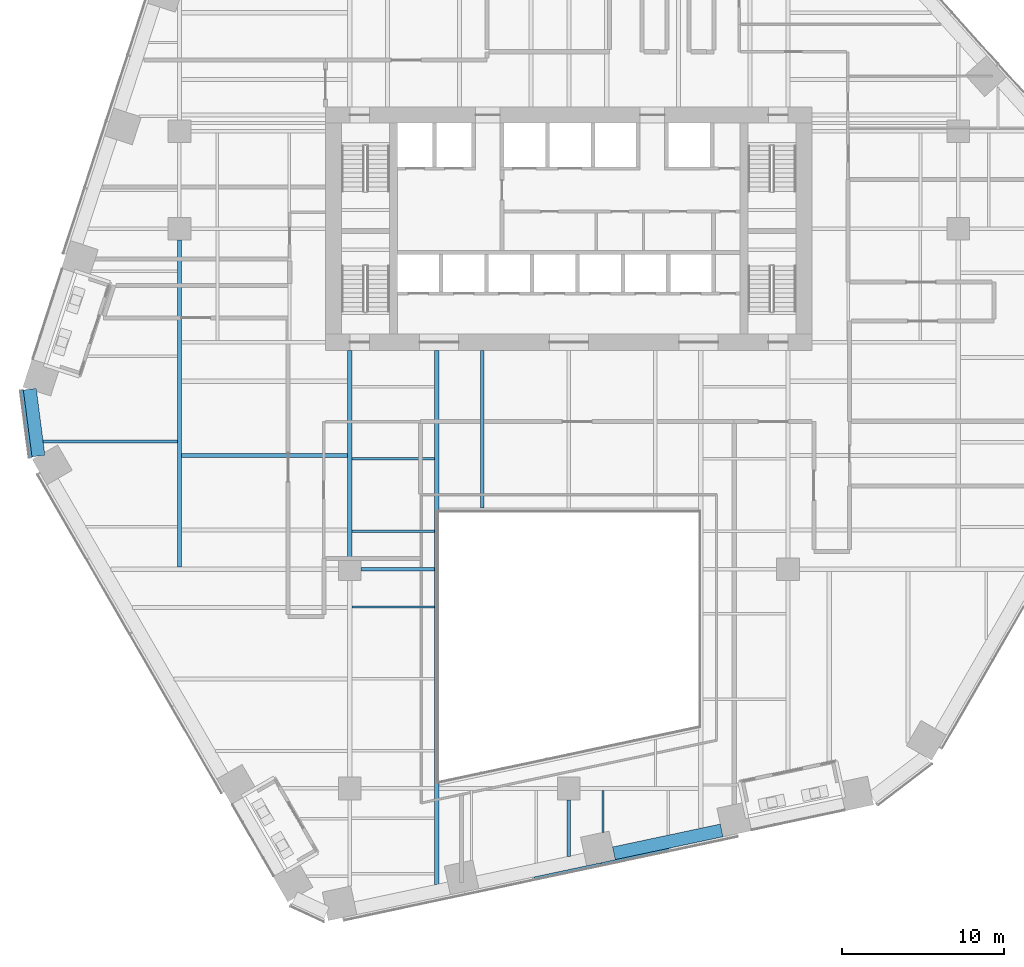
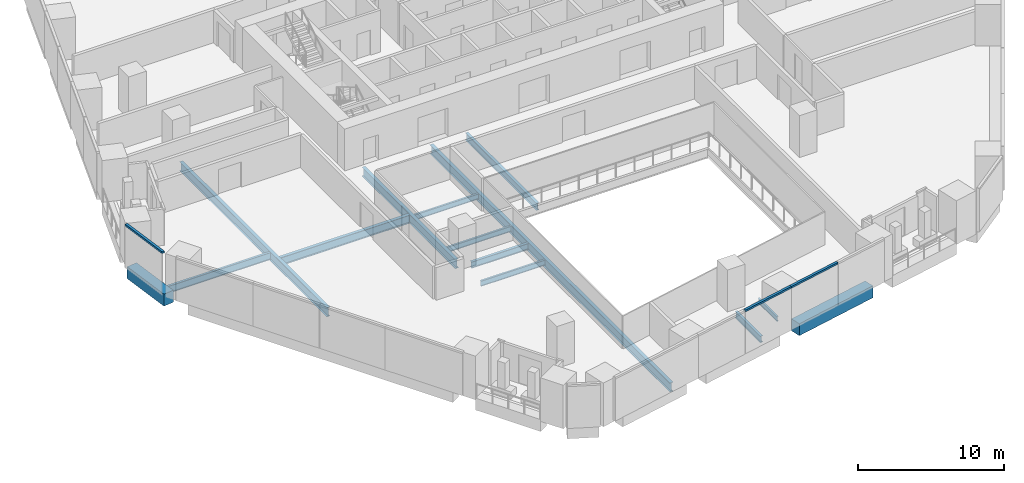
# One storey, part 4 of 31: 14 beams, 3 members, 2 elements without a shape of their own.
"""IFC4 building model written with IfcOpenShell, lengths in metres."""

import ifcopenshell
import ifcopenshell.guid

model = None  # the IFC model being written
_history = None  # IfcOwnerHistory: only IFC2X3 demands one
_inside = {}  # id of a spatial element -> (the spatial element, [elements in it])
_under = {}  # id of a project, library or spatial element -> (it, [spatial elements below it])
_declared = {}  # id of a project -> (the project, [libraries it declares])
_typed = {}  # id of a type object -> (the type object, [elements of that type])
_made_of = {}  # id of a material, layer set ... -> (it, [elements and type objects made of it])


def new_model(schema):
    """Start an empty IFC model of exactly this schema.

    Asked for "IFC4X3", IfcOpenShell would pick the latest addendum, in which some entities
    have other attributes; the version numbers below select the first issue.
    IFC2X3 requires an IfcOwnerHistory on every rooted entity: one is made here for all.
    """
    global model, _history
    if schema == "IFC4X3":
        model = ifcopenshell.file(schema_version=(4, 3, 0, 0))
    else:
        model = ifcopenshell.file(schema=schema)
    _inside.clear()
    _under.clear()
    _declared.clear()
    _typed.clear()
    _made_of.clear()
    _history = None
    if model.schema == "IFC2X3":
        org = make("IfcOrganization", Name="unknown")
        user = make(
            "IfcPersonAndOrganization",
            ThePerson=make("IfcPerson", FamilyName="unknown"),
            TheOrganization=org,
        )
        app = make(
            "IfcApplication",
            ApplicationDeveloper=org,
            Version="unknown",
            ApplicationFullName="unknown",
            ApplicationIdentifier="unknown",
        )
        _history = make(
            "IfcOwnerHistory",
            OwningUser=user,
            OwningApplication=app,
            ChangeAction="ADDED",
            CreationDate=0,
        )
    return model


def make(cls, **values):
    """One entity of the class cls with the attributes given. An attribute that is None is left unset."""
    return model.create_entity(
        cls, **{name: value for name, value in values.items() if value is not None}
    )


def rooted(cls, **values):
    """An entity with a GlobalId (a new one), such as an element, a storey or a relation."""
    return make(cls, GlobalId=ifcopenshell.guid.new(), OwnerHistory=_history, **values)


def si_unit(unit_type, name, prefix=None):
    """IfcSIUnit, for example si_unit("LENGTHUNIT", "METRE", prefix="MILLI")."""
    return make("IfcSIUnit", UnitType=unit_type, Prefix=prefix, Name=name)


def assignment(units):
    """IfcUnitAssignment: the units of a project."""
    return None if units is None else make("IfcUnitAssignment", Units=units)


def point(xyz):
    """IfcCartesianPoint."""
    return None if xyz is None else make("IfcCartesianPoint", Coordinates=xyz)


def direction(xyz):
    """IfcDirection."""
    return None if xyz is None else make("IfcDirection", DirectionRatios=xyz)


def frame(location, z_axis=None, x_axis=None):
    """IfcAxis2Placement3D, a coordinate frame: its origin and axes. An axis left out is left unset."""
    return make(
        "IfcAxis2Placement3D",
        Location=point(location),
        Axis=direction(z_axis),
        RefDirection=direction(x_axis),
    )


def frame_2d(location, x_axis=None):
    """IfcAxis2Placement2D, a coordinate frame in the plane: its origin and x axis."""
    return make(
        "IfcAxis2Placement2D", Location=point(location), RefDirection=direction(x_axis)
    )


def origin():
    """The frame at (0, 0, 0) with its axes left unset."""
    return frame((0.0, 0.0, 0.0))


def origin_2d():
    """The frame at (0, 0) in the plane with its x axis left unset."""
    return frame_2d((0.0, 0.0))


def place(relative_to, where):
    """IfcLocalPlacement: puts the frame where relative to a parent placement (None: the world)."""
    return make(
        "IfcLocalPlacement", PlacementRelTo=relative_to, RelativePlacement=where
    )


def context(
    kind, dimensions, precision=None, world=None, true_north=None, identifier=None
):
    """IfcGeometricRepresentationContext, for example the 3D "Model" context."""
    return make(
        "IfcGeometricRepresentationContext",
        ContextIdentifier=identifier,
        ContextType=kind,
        CoordinateSpaceDimension=dimensions,
        Precision=precision,
        WorldCoordinateSystem=world,
        TrueNorth=true_north,
    )


def subcontext(parent, identifier, kind, view, scale=None):
    """IfcGeometricRepresentationSubContext, for example "Body" below "Model"."""
    return make(
        "IfcGeometricRepresentationSubContext",
        ContextIdentifier=identifier,
        ContextType=kind,
        ParentContext=parent,
        TargetScale=scale,
        TargetView=view,
    )


def project(units=None, contexts=None):
    """IfcProject with its units and contexts."""
    return rooted(
        "IfcProject",
        Name="project",
        RepresentationContexts=contexts,
        UnitsInContext=assignment(units),
    )


def spatial(cls, under=None, at=None, **own):
    """A site, building, storey or space (cls), placed at a placement, below another one or the project."""
    s = rooted(cls, ObjectPlacement=at, **own)
    if under is not None:
        _under.setdefault(under.id(), (under, []))[1].append(s)
    return s


def profile(cls, at=None, kind="AREA", **sizes):
    """A parametric profile (cls). Its sizes go by their IFC names, for example OverallWidth=200.0."""
    return make(cls, ProfileType=kind, Position=at, **sizes)


def rectangle(**sizes):
    """IfcRectangleProfileDef."""
    return profile("IfcRectangleProfileDef", **sizes)


def i_section(**sizes):
    """IfcIShapeProfileDef."""
    return profile("IfcIShapeProfileDef", **sizes)


def extrude(swept, where, along, depth):
    """IfcExtrudedAreaSolid: the profile swept, set in the frame where, extruded along a direction by depth."""
    return make(
        "IfcExtrudedAreaSolid",
        SweptArea=swept,
        Position=where,
        ExtrudedDirection=direction(along),
        Depth=depth,
    )


def shape(context_of_items, identifier, shape_type, items):
    """IfcShapeRepresentation: the items that make up one representation, for example the "Body"."""
    return make(
        "IfcShapeRepresentation",
        ContextOfItems=context_of_items,
        RepresentationIdentifier=identifier,
        RepresentationType=shape_type,
        Items=items,
    )


def material(Name=None, Category=None):
    """IfcMaterial."""
    return make("IfcMaterial", Name=Name, Category=Category)


def layer(
    of_material, thickness, ventilated=None, Name=None, Category=None, Priority=None
):
    """IfcMaterialLayer: one layer of a wall or slab, of a material (None: an air gap)."""
    return make(
        "IfcMaterialLayer",
        Material=of_material,
        LayerThickness=thickness,
        IsVentilated=ventilated,
        Name=Name,
        Category=Category,
        Priority=Priority,
    )


def layer_set(layers, Name=None):
    """IfcMaterialLayerSet."""
    return make("IfcMaterialLayerSet", MaterialLayers=layers, LayerSetName=Name)


def material_profile(
    of_material, cross_section, Name=None, Category=None, Priority=None
):
    """IfcMaterialProfile: a cross section and its material."""
    return make(
        "IfcMaterialProfile",
        Name=Name,
        Material=of_material,
        Profile=cross_section,
        Priority=Priority,
        Category=Category,
    )


def profile_set(profiles, Name=None, composite=None):
    """IfcMaterialProfileSet."""
    return make(
        "IfcMaterialProfileSet",
        Name=Name,
        MaterialProfiles=profiles,
        CompositeProfile=composite,
    )


def made_of(thing, what):
    """Note that an element or type object is made of a material, layer set ...; save() writes the relation."""
    if what is not None:
        _made_of.setdefault(what.id(), (what, []))[1].append(thing)
    return thing


def type_object(cls, material=None, **own):
    """A type object (cls), such as IfcWallType, which elements share."""
    return made_of(rooted(cls, **own), material)


def element(
    cls,
    number,
    at=None,
    inside=None,
    cuts=None,
    type_object=None,
    material=None,
    context=None,
    identifier="Body",
    shape_type=None,
    held_by="IfcProductDefinitionShape",
    body=None,
    shapes=None,
    **own,
):
    """One element of the class cls, such as IfcWall. Its Tag is "e" and its number.

    at: its placement. inside: the storey or other place that contains it. cuts: it is an
    opening in that element (IfcRelVoidsElement). A single representation is given by context,
    identifier, shape_type and body (its items); several are given by shapes. held_by: the class
    of the entity that holds the representations. save() writes the other relations.
    """
    e = rooted(cls, Tag="e%d" % number, ObjectPlacement=at, **own)
    if body is not None:
        shapes = [shape(context, identifier, shape_type, body)]
    if shapes is not None:
        e.Representation = make(held_by, Representations=shapes)
    if inside is not None:
        _inside.setdefault(inside.id(), (inside, []))[1].append(e)
    if cuts is not None:
        rooted(
            "IfcRelVoidsElement", RelatingBuildingElement=cuts, RelatedOpeningElement=e
        )
    if type_object is not None:
        _typed.setdefault(type_object.id(), (type_object, []))[1].append(e)
    return made_of(e, material)


def aggregate(whole, parts):
    """IfcRelAggregates: a whole, such as a stair, and the parts it consists of."""
    return rooted("IfcRelAggregates", RelatingObject=whole, RelatedObjects=parts)


def save(model, path):
    """Write the relations noted so far, then the file.

    IfcRelAggregates (storeys below a building ...), IfcRelContainedInSpatialStructure (elements
    in a storey), IfcRelDefinesByType, IfcRelAssociatesMaterial and IfcRelDeclares: one each for
    every whole, place, type object, material and project.
    """
    for whole, parts in _under.values():
        aggregate(whole, parts)
    for where, things in _inside.values():
        rooted(
            "IfcRelContainedInSpatialStructure",
            RelatedElements=things,
            RelatingStructure=where,
        )
    for kind, things in _typed.values():
        rooted("IfcRelDefinesByType", RelatedObjects=things, RelatingType=kind)
    for what, things in _made_of.values():
        rooted("IfcRelAssociatesMaterial", RelatedObjects=things, RelatingMaterial=what)
    for by, libraries in _declared.values():
        rooted("IfcRelDeclares", RelatingContext=by, RelatedDefinitions=libraries)
    model.write(path)


model = new_model("IFC4")

# Units and contexts
model_context = context("Model", 3, precision=1e-05, world=origin(), true_north=direction((0.0, 1.0)))
body_context = subcontext(model_context, "Body", "Model", "MODEL_VIEW")
ifc_project = project(units=[si_unit("LENGTHUNIT", "METRE"), si_unit("AREAUNIT", "SQUARE_METRE"), si_unit("VOLUMEUNIT", "CUBIC_METRE"), si_unit("PLANEANGLEUNIT", "RADIAN"), si_unit("MASSUNIT", "GRAM", prefix="KILO")], contexts=[model_context])

# Site, building, storey
site_placement = place(None, origin())
site = spatial("IfcSite", under=ifc_project, at=site_placement, CompositionType="ELEMENT")
building_placement = place(site_placement, origin())
building = spatial("IfcBuilding", under=site, at=building_placement, Name="Isthmus Gate Tower", CompositionType="ELEMENT")
storey_placement = place(building_placement, frame((0.0, 0.0, 54.25)))
storey = spatial("IfcBuildingStorey", under=building, at=storey_placement, Name="L11", CompositionType="ELEMENT", Elevation=54.25)

# Curtain wall, member
ifc_material_1 = material(Name="Aluminium, pale champagne anodised", Category="aluminium")
ifc_layer = layer(ifc_material_1, 0.199951171875)
ifc_layer_set = layer_set([ifc_layer], Name="CW-1 UNITISED CURTAIN WALL 200 DEEP")
curtain_wall_type = type_object("IfcCurtainWallType", Name="CW-1 UNITISED CURTAIN WALL 200 DEEP", PredefinedType="NOTDEFINED", material=ifc_layer_set)
curtain_wall_1_placement = place(storey_placement, origin())
curtain_wall_1 = element("IfcCurtainWall", 1, at=curtain_wall_1_placement, inside=storey, type_object=curtain_wall_type, Name="CW-1 NW-SW L11", PredefinedType="NOTDEFINED")
ifc_material_2 = material(Name="Aluminium, pale champagne anodised", Category="aluminium")
ifc_material_profile_1 = material_profile(ifc_material_2, rectangle(XDim=0.199951171875, YDim=0.14990234375, at=origin_2d()), Name="200x150")
ifc_profile_set_1 = profile_set([ifc_material_profile_1], Name="Aluminium, pale champagne anodised")
member_type = type_object("IfcMemberType", Name="CW-1 TRANSOM 200 X 150", PredefinedType="USERDEFINED", material=ifc_profile_set_1)
member_1_placement = place(storey_placement, frame((-33.71923828125, -2.474609375, 3.574951171875), z_axis=(0.129206893318, -0.991617657527, 0.0), x_axis=(0.991617657527, 0.129206893318, 0.0)))
member_1 = element("IfcMember", 2, at=member_1_placement, type_object=member_type, Name="CW-1 transom", ObjectType="TRANSOM", PredefinedType="USERDEFINED", context=body_context, shape_type="SweptSolid", body=[
    extrude(rectangle(XDim=0.199951171875, YDim=0.14990234375, at=origin_2d()), origin(), (0.0, 0.0, 1.0), 4.181640625),
])
aggregate(curtain_wall_1, [member_1])

# Curtain wall, members
curtain_wall_2_placement = place(storey_placement, origin())
curtain_wall_2 = element("IfcCurtainWall", 3, at=curtain_wall_2_placement, inside=storey, type_object=curtain_wall_type, Name="CW-1 S L11", PredefinedType="NOTDEFINED")
member_2_placement = place(storey_placement, frame((-2.1435546875, -32.557861328125, 3.574951171875), z_axis=(0.978150351608, 0.20789874855, 0.0), x_axis=(-0.20789874855, 0.978150351608, 0.0)))
member_2 = element("IfcMember", 4, at=member_2_placement, type_object=member_type, Name="CW-1 transom", ObjectType="TRANSOM", PredefinedType="USERDEFINED", context=body_context, shape_type="SweptSolid", body=[
    extrude(rectangle(XDim=0.199951171875, YDim=0.14990234375, at=origin_2d()), origin(), (0.0, 0.0, 1.0), 4.234619140625),
])
member_3_placement = place(storey_placement, frame((1.99853515625, -31.677490234375, 3.574951171875), z_axis=(0.97813890815, 0.207952582007, 0.0), x_axis=(-0.207952582007, 0.97813890815, 0.0)))
member_3 = element("IfcMember", 5, at=member_3_placement, type_object=member_type, Name="CW-1 transom", ObjectType="TRANSOM", PredefinedType="USERDEFINED", context=body_context, shape_type="SweptSolid", body=[
    extrude(rectangle(XDim=0.199951171875, YDim=0.14990234375, at=origin_2d()), origin(), (0.0, 0.0, 1.0), 4.294677734375),
])
aggregate(curtain_wall_2, [member_2, member_3])

# Beams
ifc_material_3 = material(Name="Concrete f'c 70 MPa", Category="concrete")
ifc_material_profile_2 = material_profile(ifc_material_3, rectangle(XDim=0.800048828125, YDim=1.0, at=origin_2d()), Name="RC 800X1000")
ifc_profile_set_2 = profile_set([ifc_material_profile_2], Name="Concrete f'c 70 MPa")
beam_type_1 = type_object("IfcBeamType", Name="RC SPANDREL 800 X 1000", PredefinedType="SPANDREL", material=ifc_profile_set_2)
beam_1_placement = place(storey_placement, frame((9.415771484375, -29.589599609375, -0.5), z_axis=(-0.978145779981, -0.207920256603, 0.0), x_axis=(0.207920256603, -0.978145779981, 0.0)))
element("IfcBeam", 6, at=beam_1_placement, inside=storey, type_object=beam_type_1, Name="str-spandrel-L11-11", PredefinedType="SPANDREL", context=body_context, shape_type="SweptSolid", body=[
    extrude(rectangle(XDim=0.800048828125, YDim=1.0, at=origin_2d()), origin(), (0.0, 0.0, 1.0), 6.789306640625),
])
beam_2_placement = place(storey_placement, frame((-32.6884765625, -6.515380859375, -0.5), z_axis=(-0.129170777359, 0.991622362735, 0.0), x_axis=(-0.991622362735, -0.129170777359, 0.0)))
element("IfcBeam", 7, at=beam_2_placement, inside=storey, type_object=beam_type_1, Name="str-spandrel-L11-17", PredefinedType="SPANDREL", context=body_context, shape_type="SweptSolid", body=[
    extrude(rectangle(XDim=0.800048828125, YDim=1.0, at=origin_2d()), origin(), (0.0, 0.0, 1.0), 4.15234375),
])
ifc_material_4 = material(Name="Structural steel ASTM A992 Gr 50", Category="steel")
ifc_material_profile_3 = material_profile(ifc_material_4, i_section(OverallWidth=0.1396484375, OverallDepth=0.4033203125, WebThickness=0.00634765625, FlangeThickness=0.010986328125, at=origin_2d()), Name="W16X31")
ifc_profile_set_3 = profile_set([ifc_material_profile_3], Name="Structural steel ASTM A992 Gr 50")
beam_type_2 = type_object("IfcBeamType", Name="STEEL FLOOR BEAM W16X31", PredefinedType="JOIST", material=ifc_profile_set_3)
beam_3_placement = place(storey_placement, frame((2.111572265625, -29.7109375, -0.3515625), z_axis=(0.0, 1.0, 0.0), x_axis=(-1.0, 0.0, 0.0)))
element("IfcBeam", 8, at=beam_3_placement, inside=storey, type_object=beam_type_2, Name="str-beam-L11-21-00", PredefinedType="JOIST", context=body_context, shape_type="SweptSolid", body=[
    extrude(i_section(OverallWidth=0.1396484375, OverallDepth=0.4033203125, WebThickness=0.00634765625, FlangeThickness=0.010986328125, at=origin_2d()), origin(), (0.0, 0.0, 1.0), 2.5966796875),
])
ifc_material_5 = material(Name="Structural steel ASTM A992 Gr 50", Category="steel")
ifc_material_profile_4 = material_profile(ifc_material_5, i_section(OverallWidth=0.15234375, OverallDepth=0.45068359375, WebThickness=0.0078125, FlangeThickness=0.010986328125, at=origin_2d()), Name="W18X35")
ifc_profile_set_4 = profile_set([ifc_material_profile_4], Name="Structural steel ASTM A992 Gr 50")
beam_type_3 = type_object("IfcBeamType", Name="STEEL FLOOR BEAM W18X35", PredefinedType="JOIST", material=ifc_profile_set_4)
for number, where, z_axis, x_axis, name in (
    (9, (-13.3681640625, -11.16259765625, -0.37548828125), (1.0, 0.0, 0.0), (0.0, 1.0, 0.0), "str-beam-L11-13-00"),
    (10, (-13.3681640625, -6.697509765625, -0.37548828125), (1.0, 0.0, 0.0), (0.0, 1.0, 0.0), "str-beam-L11-13-01"),
    (11, (-13.3681640625, -15.81982421875, -0.37548828125), (1.0, 0.0, 0.0), (0.0, 1.0, 0.0), "str-beam-L11-14-02"),
):
    element("IfcBeam", number, at=place(storey_placement, frame(where, z_axis=z_axis, x_axis=x_axis)), inside=storey, type_object=beam_type_3, Name=name, PredefinedType="JOIST", context=body_context, shape_type="SweptSolid", body=[
        extrude(i_section(OverallWidth=0.15234375, OverallDepth=0.45068359375, WebThickness=0.0078125, FlangeThickness=0.010986328125, at=origin_2d()), origin(), (0.0, 0.0, 1.0), 5.1015625),
    ])
ifc_material_6 = material(Name="Structural steel ASTM A992 Gr 50", Category="steel")
ifc_material_profile_5 = material_profile(ifc_material_6, i_section(OverallWidth=0.177734375, OverallDepth=0.60009765625, WebThickness=0.009521484375, FlangeThickness=0.0126953125, at=origin_2d()), Name="W24X55")
ifc_profile_set_5 = profile_set([ifc_material_profile_5], Name="Structural steel ASTM A992 Gr 50")
beam_type_4 = type_object("IfcBeamType", Name="STEEL FLOOR BEAM W24X55", PredefinedType="JOIST", material=ifc_profile_set_5)
beam_4_placement = place(storey_placement, frame((-32.401123046875, -5.625, -0.449951171875), z_axis=(1.0, 0.0, 0.0), x_axis=(0.0, 1.0, 0.0)))
element("IfcBeam", 12, at=beam_4_placement, inside=storey, type_object=beam_type_4, Name="str-beam-L11-01-01", PredefinedType="JOIST", context=body_context, shape_type="SweptSolid", body=[
    extrude(i_section(OverallWidth=0.177734375, OverallDepth=0.60009765625, WebThickness=0.009521484375, FlangeThickness=0.0126953125, at=origin_2d()), origin(), (0.0, 0.0, 1.0), 8.267822265625),
])
ifc_material_7 = material(Name="Structural steel ASTM A992 Gr 50", Category="steel")
ifc_material_profile_6 = material_profile(ifc_material_7, i_section(OverallWidth=0.228515625, OverallDepth=0.603271484375, WebThickness=0.010986328125, FlangeThickness=0.014404296875, at=origin_2d()), Name="W24X68")
ifc_profile_set_6 = profile_set([ifc_material_profile_6], Name="Structural steel ASTM A992 Gr 50")
beam_type_5 = type_object("IfcBeamType", Name="STEEL FLOOR BEAM W24X68", PredefinedType="JOIST", material=ifc_profile_set_6)
beam_5_placement = place(storey_placement, frame((-5.333251953125, -9.7333984375, -0.45166015625), z_axis=(0.0, 1.0, 0.0), x_axis=(-1.0, 0.0, 0.0)))
element("IfcBeam", 13, at=beam_5_placement, inside=storey, type_object=beam_type_5, Name="str-beam-L11-19-00", PredefinedType="JOIST", context=body_context, shape_type="SweptSolid", body=[
    extrude(i_section(OverallWidth=0.228515625, OverallDepth=0.603271484375, WebThickness=0.010986328125, FlangeThickness=0.014404296875, at=origin_2d()), origin(), (0.0, 0.0, 1.0), 9.7333984375),
])
ifc_material_8 = material(Name="Structural steel ASTM A992 Gr 50", Category="steel")
ifc_material_profile_7 = material_profile(ifc_material_8, i_section(OverallWidth=0.25390625, OverallDepth=0.679443359375, WebThickness=0.010986328125, FlangeThickness=0.015869140625, at=origin_2d()), Name="W27X84")
ifc_profile_set_7 = profile_set([ifc_material_profile_7], Name="Structural steel ASTM A992 Gr 50")
beam_type_6 = type_object("IfcBeamType", Name="STEEL FLOOR BEAM W27X84", PredefinedType="JOIST", material=ifc_profile_set_7)
beam_6_placement = place(storey_placement, frame((-23.86669921875, -6.490478515625, -0.48974609375), z_axis=(1.0, 0.0, 0.0), x_axis=(0.0, 1.0, 0.0)))
element("IfcBeam", 14, at=beam_6_placement, inside=storey, type_object=beam_type_6, Name="str-beam-L11-08-01", PredefinedType="JOIST", context=body_context, shape_type="SweptSolid", body=[
    extrude(i_section(OverallWidth=0.25390625, OverallDepth=0.679443359375, WebThickness=0.010986328125, FlangeThickness=0.015869140625, at=origin_2d()), origin(), (0.0, 0.0, 1.0), 10.23486328125),
])
ifc_material_9 = material(Name="Structural steel ASTM A992 Gr 50", Category="steel")
ifc_material_profile_8 = material_profile(ifc_material_9, i_section(OverallWidth=0.20947265625, OverallDepth=0.533447265625, WebThickness=0.009521484375, FlangeThickness=0.015869140625, at=origin_2d()), Name="W21X62")
ifc_profile_set_8 = profile_set([ifc_material_profile_8], Name="Structural steel ASTM A992 Gr 50")
beam_type_7 = type_object("IfcBeamType", Name="STEEL GIRDER W21X62", PredefinedType="BEAM", material=ifc_profile_set_8)
beam_7_placement = place(storey_placement, frame((-12.800048828125, -13.5, -0.416748046875), z_axis=(1.0, 0.0, 0.0), x_axis=(0.0, 1.0, 0.0)))
element("IfcBeam", 15, at=beam_7_placement, inside=storey, type_object=beam_type_7, Name="str-girder-L11-06", PredefinedType="BEAM", context=body_context, shape_type="SweptSolid", body=[
    extrude(i_section(OverallWidth=0.20947265625, OverallDepth=0.533447265625, WebThickness=0.009521484375, FlangeThickness=0.015869140625, at=origin_2d()), origin(), (0.0, 0.0, 1.0), 4.533447265625),
])
beam_8_placement = place(storey_placement, frame((0.0, -31.18212890625, -0.416748046875), z_axis=(0.0, 1.0, 0.0), x_axis=(-1.0, 0.0, 0.0)))
element("IfcBeam", 16, at=beam_8_placement, inside=storey, type_object=beam_type_7, Name="str-girder-L11-28", PredefinedType="BEAM", context=body_context, shape_type="SweptSolid", body=[
    extrude(i_section(OverallWidth=0.20947265625, OverallDepth=0.533447265625, WebThickness=0.009521484375, FlangeThickness=0.015869140625, at=origin_2d()), origin(), (0.0, 0.0, 1.0), 3.482177734375),
])
ifc_material_10 = material(Name="Structural steel ASTM A992 Gr 50", Category="steel")
ifc_material_profile_9 = material_profile(ifc_material_10, i_section(OverallWidth=0.2666015625, OverallDepth=0.7587890625, WebThickness=0.014404296875, FlangeThickness=0.01904296875, at=origin_2d()), Name="W30X108")
ifc_profile_set_9 = profile_set([ifc_material_profile_9], Name="Structural steel ASTM A992 Gr 50")
beam_type_8 = type_object("IfcBeamType", Name="STEEL GIRDER W30X108", PredefinedType="BEAM", material=ifc_profile_set_9)
beam_9_placement = place(storey_placement, frame((-24.0, -13.36669921875, -0.529296875), z_axis=(0.0, 1.0, 0.0), x_axis=(-1.0, 0.0, 0.0)))
element("IfcBeam", 17, at=beam_9_placement, inside=storey, type_object=beam_type_8, Name="str-girder-L11-20", PredefinedType="BEAM", context=body_context, shape_type="SweptSolid", body=[
    extrude(i_section(OverallWidth=0.2666015625, OverallDepth=0.7587890625, WebThickness=0.014404296875, FlangeThickness=0.01904296875, at=origin_2d()), origin(), (0.0, 0.0, 1.0), 20.166748046875),
])
ifc_material_11 = material(Name="Structural steel ASTM A992 Gr 50", Category="steel")
ifc_material_profile_10 = material_profile(ifc_material_11, i_section(OverallWidth=0.263427734375, OverallDepth=0.749267578125, WebThickness=0.0126953125, FlangeThickness=0.015869140625, at=origin_2d()), Name="W30X90")
ifc_profile_set_10 = profile_set([ifc_material_profile_10], Name="Structural steel ASTM A992 Gr 50")
beam_type_9 = type_object("IfcBeamType", Name="STEEL GIRDER W30X90", PredefinedType="BEAM", material=ifc_profile_set_10)
beam_10_placement = place(storey_placement, frame((-13.5, -12.800048828125, -0.524658203125), z_axis=(0.0, 1.0, 0.0), x_axis=(-1.0, 0.0, 0.0)))
element("IfcBeam", 18, at=beam_10_placement, inside=storey, type_object=beam_type_9, Name="str-girder-L11-25", PredefinedType="BEAM", context=body_context, shape_type="SweptSolid", body=[
    extrude(i_section(OverallWidth=0.263427734375, OverallDepth=0.749267578125, WebThickness=0.0126953125, FlangeThickness=0.015869140625, at=origin_2d()), origin(), (0.0, 0.0, 1.0), 12.800048828125),
])
ifc_material_12 = material(Name="Structural steel ASTM A992 Gr 50", Category="steel")
ifc_material_profile_11 = material_profile(ifc_material_12, i_section(OverallWidth=0.2666015625, OverallDepth=0.7587890625, WebThickness=0.014404296875, FlangeThickness=0.01904296875, at=origin_2d()), Name="W30X108")
ifc_profile_set_11 = profile_set([ifc_material_profile_11], Name="Structural steel ASTM A992 Gr 50")
beam_type_10 = type_object("IfcBeamType", Name="STEEL TRIMMER W30X108", PredefinedType="BEAM", material=ifc_profile_set_11)
beam_11_placement = place(storey_placement, frame((-8.13330078125, 0.0, -0.529296875), z_axis=(0.0, -1.0, 0.0), x_axis=(1.0, 0.0, 0.0)))
element("IfcBeam", 19, at=beam_11_placement, inside=storey, type_object=beam_type_10, Name="str-trimmer-L11-02", PredefinedType="BEAM", context=body_context, shape_type="SweptSolid", body=[
    extrude(i_section(OverallWidth=0.2666015625, OverallDepth=0.7587890625, WebThickness=0.014404296875, FlangeThickness=0.01904296875, at=origin_2d()), origin(), (0.0, 0.0, 1.0), 32.910888671875),
])

save(model, "model.ifc")
